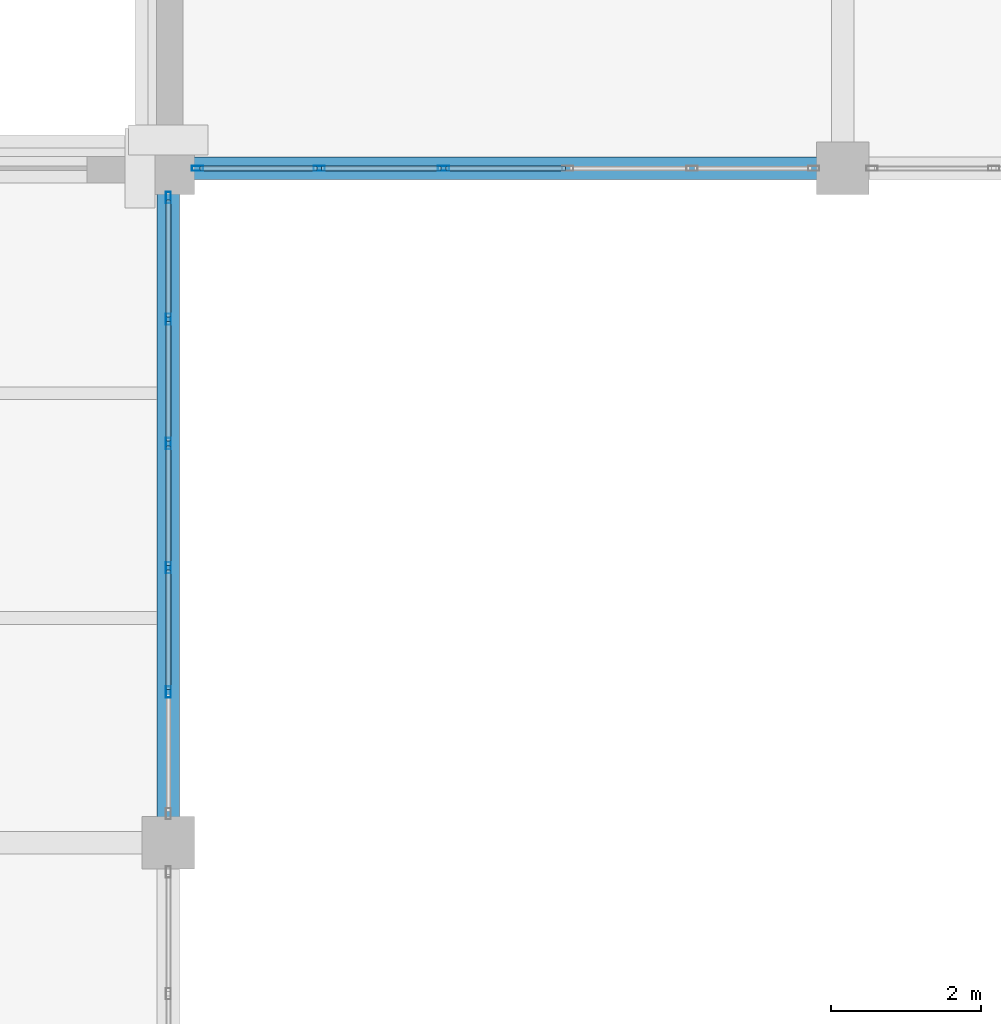
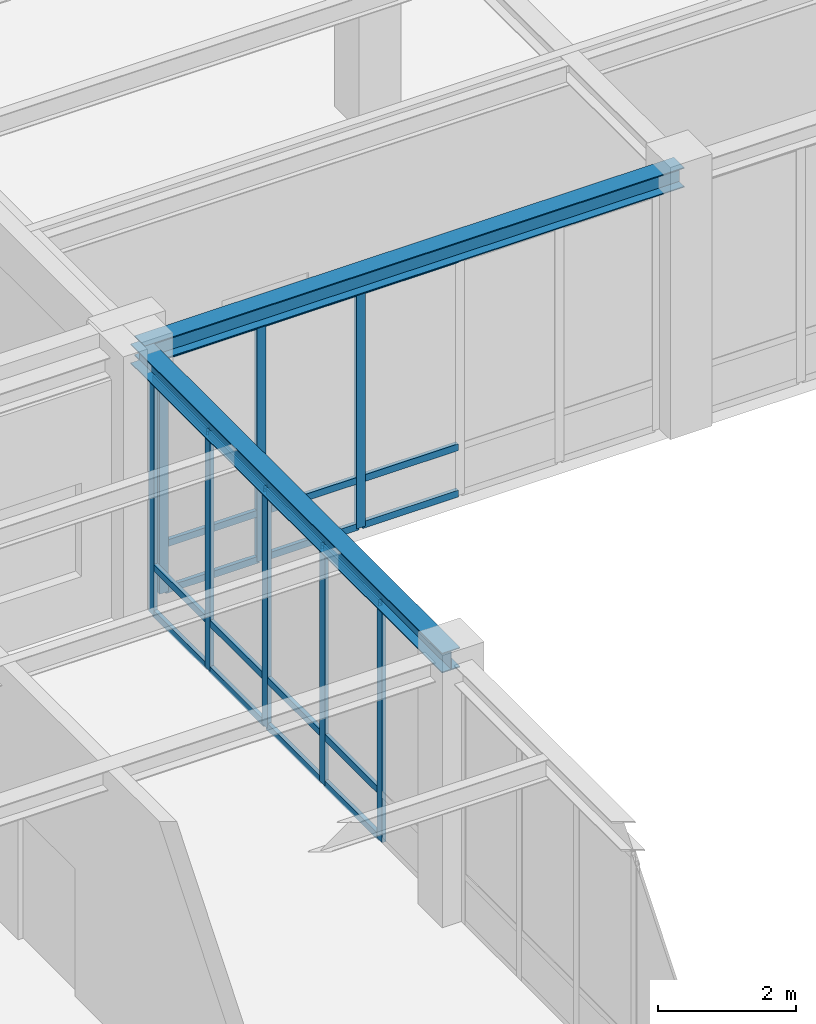
# One storey, part 60 of 92: 29 members, 2 beams, 2 elements without a shape of their own.
"""IFC4 building model written with IfcOpenShell, lengths in metres."""

from ifc_helpers import new_model, si_unit, direction, frame, origin, origin_2d, place, context, subcontext, project, spatial, hollow_rectangle, i_section, extrude, material, material_profile, profile_set, type_object, element, aggregate, save


model = new_model("IFC4")

# Units and contexts
model_context = context("Model", 3, precision=1e-05, world=origin(), true_north=direction((0.0, 1.0)))
body_context = subcontext(model_context, "Body", "Model", "MODEL_VIEW")
ifc_project = project(units=[si_unit("LENGTHUNIT", "METRE"), si_unit("AREAUNIT", "SQUARE_METRE"), si_unit("VOLUMEUNIT", "CUBIC_METRE"), si_unit("PLANEANGLEUNIT", "RADIAN"), si_unit("MASSUNIT", "GRAM", prefix="KILO")], contexts=[model_context])

# Site, building, storey
site_placement = place(None, origin())
site = spatial("IfcSite", under=ifc_project, at=site_placement, CompositionType="ELEMENT")
building_placement = place(site_placement, origin())
building = spatial("IfcBuilding", under=site, at=building_placement, Name="Lykobir Media Centre", CompositionType="ELEMENT")
storey_placement = place(building_placement, frame((0.0, 0.0, 5.39990234375)))
storey = spatial("IfcBuildingStorey", under=building, at=storey_placement, Name="L01", CompositionType="ELEMENT", Elevation=5.39990234375)

# Beam
ifc_material_1 = material(Name="Steel S355", Category="steel")
ifc_material_profile_1 = material_profile(ifc_material_1, i_section(OverallWidth=0.300048828125, OverallDepth=0.35009765625, WebThickness=0.010009765625, FlangeThickness=0.017578125, at=origin_2d()), Name="HEA 360")
ifc_profile_set_1 = profile_set([ifc_material_profile_1], Name="Steel S355")
beam_type_1 = type_object("IfcBeamType", Name="BM-HEA360", PredefinedType="BEAM", material=ifc_profile_set_1)
beam_1_placement = place(storey_placement, frame((99.0, 63.0, 4.385009765625), z_axis=(0.0, 1.0, 0.0), x_axis=(-1.0, 0.0, 0.0)))
element("IfcBeam", 1, at=beam_1_placement, inside=storey, type_object=beam_type_1, Name="Beam BM-L01-0990-0630-0990-0720-978", PredefinedType="BEAM", context=body_context, shape_type="SweptSolid", body=[
    extrude(i_section(OverallWidth=0.300048828125, OverallDepth=0.35009765625, WebThickness=0.010009765625, FlangeThickness=0.017578125, at=origin_2d()), origin(), (0.0, 0.0, 1.0), 9.0),
])

# Curtain wall, members
ifc_material_2 = material(Name="Anodized Aluminium AW-6060", Category="aluminium")
curtain_wall_type = type_object("IfcCurtainWallType", Name="CW-COURT-A", PredefinedType="NOTDEFINED", material=ifc_material_2)
curtain_wall_1_placement = place(storey_placement, origin())
curtain_wall_1 = element("IfcCurtainWall", 2, at=curtain_wall_1_placement, inside=storey, type_object=curtain_wall_type, Name="Curtain wall CW2-L01-0036", PredefinedType="NOTDEFINED")
ifc_material_profile_2 = material_profile(ifc_material_2, hollow_rectangle(XDim=0.06494140625, YDim=0.14990234375, WallThickness=0.00341796875, at=origin_2d()), Name="ALU MULLION 65x150")
ifc_profile_set_2 = profile_set([ifc_material_profile_2], Name="Anodized Aluminium AW-6060")
member_type_1 = type_object("IfcMemberType", Name="CWM-150", PredefinedType="MULLION", material=ifc_profile_set_2)
member_1_placement = place(storey_placement, frame((99.0, 71.612548828125, 0.0), z_axis=(0.0, 0.0, 1.0), x_axis=(1.0, 0.0, 0.0)))
member_1 = element("IfcMember", 3, at=member_1_placement, type_object=member_type_1, Name="CW2-L01-0036 mullion 1", PredefinedType="MULLION", context=body_context, shape_type="SweptSolid", body=[
    extrude(hollow_rectangle(XDim=0.06494140625, YDim=0.14990234375, WallThickness=0.00341796875, at=origin_2d()), origin(), (0.0, 0.0, 1.0), 4.195068359375),
])
member_2_placement = place(storey_placement, frame((99.0, 69.987060546875, 0.0), z_axis=(0.0, 0.0, 1.0), x_axis=(1.0, 0.0, 0.0)))
member_2 = element("IfcMember", 4, at=member_2_placement, type_object=member_type_1, Name="CW2-L01-0036 mullion 2", PredefinedType="MULLION", context=body_context, shape_type="SweptSolid", body=[
    extrude(hollow_rectangle(XDim=0.06494140625, YDim=0.14990234375, WallThickness=0.00341796875, at=origin_2d()), origin(), (0.0, 0.0, 1.0), 4.195068359375),
])
member_3_placement = place(storey_placement, frame((99.0, 68.3291015625, 0.0), z_axis=(0.0, 0.0, 1.0), x_axis=(1.0, 0.0, 0.0)))
member_3 = element("IfcMember", 5, at=member_3_placement, type_object=member_type_1, Name="CW2-L01-0036 mullion 3", PredefinedType="MULLION", context=body_context, shape_type="SweptSolid", body=[
    extrude(hollow_rectangle(XDim=0.06494140625, YDim=0.14990234375, WallThickness=0.00341796875, at=origin_2d()), origin(), (0.0, 0.0, 1.0), 4.195068359375),
])
member_4_placement = place(storey_placement, frame((99.0, 66.6708984375, 0.0), z_axis=(0.0, 0.0, 1.0), x_axis=(1.0, 0.0, 0.0)))
member_4 = element("IfcMember", 6, at=member_4_placement, type_object=member_type_1, Name="CW2-L01-0036 mullion 4", PredefinedType="MULLION", context=body_context, shape_type="SweptSolid", body=[
    extrude(hollow_rectangle(XDim=0.06494140625, YDim=0.14990234375, WallThickness=0.00341796875, at=origin_2d()), origin(), (0.0, 0.0, 1.0), 4.195068359375),
])
member_5_placement = place(storey_placement, frame((99.0, 65.012939453125, 0.0), z_axis=(0.0, 0.0, 1.0), x_axis=(1.0, 0.0, 0.0)))
member_5 = element("IfcMember", 7, at=member_5_placement, type_object=member_type_1, Name="CW2-L01-0036 mullion 5", PredefinedType="MULLION", context=body_context, shape_type="SweptSolid", body=[
    extrude(hollow_rectangle(XDim=0.06494140625, YDim=0.14990234375, WallThickness=0.00341796875, at=origin_2d()), origin(), (0.0, 0.0, 1.0), 4.195068359375),
])

curtain_wall_2_placement = place(storey_placement, origin())
curtain_wall_2 = element("IfcCurtainWall", 8, at=curtain_wall_2_placement, inside=storey, type_object=curtain_wall_type, Name="Curtain wall CW2-L01-0070", PredefinedType="NOTDEFINED")
member_6_placement = place(storey_placement, frame((102.6708984375, 72.0, 0.0), z_axis=(0.0, 0.0, 1.0), x_axis=(0.0, -1.0, 0.0)))
member_6 = element("IfcMember", 9, at=member_6_placement, type_object=member_type_1, Name="CW2-L01-0070 mullion 4", PredefinedType="MULLION", context=body_context, shape_type="SweptSolid", body=[
    extrude(hollow_rectangle(XDim=0.06494140625, YDim=0.14990234375, WallThickness=0.00341796875, at=origin_2d()), origin(), (0.0, 0.0, 1.0), 4.195068359375),
])
member_7_placement = place(storey_placement, frame((101.012939453125, 72.0, 0.0), z_axis=(0.0, 0.0, 1.0), x_axis=(0.0, -1.0, 0.0)))
member_7 = element("IfcMember", 10, at=member_7_placement, type_object=member_type_1, Name="CW2-L01-0070 mullion 5", PredefinedType="MULLION", context=body_context, shape_type="SweptSolid", body=[
    extrude(hollow_rectangle(XDim=0.06494140625, YDim=0.14990234375, WallThickness=0.00341796875, at=origin_2d()), origin(), (0.0, 0.0, 1.0), 4.195068359375),
])
member_8_placement = place(storey_placement, frame((99.387451171875, 72.0, 0.0), z_axis=(0.0, 0.0, 1.0), x_axis=(0.0, -1.0, 0.0)))
member_8 = element("IfcMember", 11, at=member_8_placement, type_object=member_type_1, Name="CW2-L01-0070 mullion 6", PredefinedType="MULLION", context=body_context, shape_type="SweptSolid", body=[
    extrude(hollow_rectangle(XDim=0.06494140625, YDim=0.14990234375, WallThickness=0.00341796875, at=origin_2d()), origin(), (0.0, 0.0, 1.0), 4.195068359375),
])

# Member
ifc_material_profile_3 = material_profile(ifc_material_2, hollow_rectangle(XDim=0.06494140625, YDim=0.1201171875, WallThickness=0.0029296875, at=origin_2d()), Name="ALU TRANSOM 65x120")
ifc_profile_set_3 = profile_set([ifc_material_profile_3], Name="Anodized Aluminium AW-6060")
member_type_2 = type_object("IfcMemberType", Name="CWT-120", PredefinedType="USERDEFINED", material=ifc_profile_set_3)
member_9_placement = place(storey_placement, frame((99.0, 71.580078125, 0.03271484375), z_axis=(0.0, -1.0, 0.0), x_axis=(1.0, 0.0, 0.0)))
member_9 = element("IfcMember", 12, at=member_9_placement, type_object=member_type_2, Name="CW2-L01-0036 transom 1.1", ObjectType="TRANSOM", PredefinedType="USERDEFINED", context=body_context, shape_type="SweptSolid", body=[
    extrude(hollow_rectangle(XDim=0.06494140625, YDim=0.1201171875, WallThickness=0.0029296875, at=origin_2d()), origin(), (0.0, 0.0, 1.0), 1.560546875),
])

member_10_placement = place(storey_placement, frame((99.0, 71.580078125, 0.85009765625), z_axis=(0.0, -1.0, 0.0), x_axis=(1.0, 0.0, 0.0)))
member_10 = element("IfcMember", 13, at=member_10_placement, type_object=member_type_2, Name="CW2-L01-0036 transom 1.2", ObjectType="TRANSOM", PredefinedType="USERDEFINED", context=body_context, shape_type="SweptSolid", body=[
    extrude(hollow_rectangle(XDim=0.06494140625, YDim=0.1201171875, WallThickness=0.0029296875, at=origin_2d()), origin(), (0.0, 0.0, 1.0), 1.560546875),
])

member_11_placement = place(storey_placement, frame((99.0, 71.580078125, 4.16259765625), z_axis=(0.0, -1.0, 0.0), x_axis=(1.0, 0.0, 0.0)))
member_11 = element("IfcMember", 14, at=member_11_placement, type_object=member_type_2, Name="CW2-L01-0036 transom 1.3", ObjectType="TRANSOM", PredefinedType="USERDEFINED", context=body_context, shape_type="SweptSolid", body=[
    extrude(hollow_rectangle(XDim=0.06494140625, YDim=0.1201171875, WallThickness=0.0029296875, at=origin_2d()), origin(), (0.0, 0.0, 1.0), 1.560546875),
])

member_12_placement = place(storey_placement, frame((99.0, 69.95458984375, 0.03271484375), z_axis=(0.0, -1.0, 0.0), x_axis=(1.0, 0.0, 0.0)))
member_12 = element("IfcMember", 15, at=member_12_placement, type_object=member_type_2, Name="CW2-L01-0036 transom 2.1", ObjectType="TRANSOM", PredefinedType="USERDEFINED", context=body_context, shape_type="SweptSolid", body=[
    extrude(hollow_rectangle(XDim=0.06494140625, YDim=0.1201171875, WallThickness=0.0029296875, at=origin_2d()), origin(), (0.0, 0.0, 1.0), 1.593017578125),
])

member_13_placement = place(storey_placement, frame((99.0, 69.95458984375, 0.85009765625), z_axis=(0.0, -1.0, 0.0), x_axis=(1.0, 0.0, 0.0)))
member_13 = element("IfcMember", 16, at=member_13_placement, type_object=member_type_2, Name="CW2-L01-0036 transom 2.2", ObjectType="TRANSOM", PredefinedType="USERDEFINED", context=body_context, shape_type="SweptSolid", body=[
    extrude(hollow_rectangle(XDim=0.06494140625, YDim=0.1201171875, WallThickness=0.0029296875, at=origin_2d()), origin(), (0.0, 0.0, 1.0), 1.593017578125),
])

member_14_placement = place(storey_placement, frame((99.0, 69.95458984375, 4.16259765625), z_axis=(0.0, -1.0, 0.0), x_axis=(1.0, 0.0, 0.0)))
member_14 = element("IfcMember", 17, at=member_14_placement, type_object=member_type_2, Name="CW2-L01-0036 transom 2.3", ObjectType="TRANSOM", PredefinedType="USERDEFINED", context=body_context, shape_type="SweptSolid", body=[
    extrude(hollow_rectangle(XDim=0.06494140625, YDim=0.1201171875, WallThickness=0.0029296875, at=origin_2d()), origin(), (0.0, 0.0, 1.0), 1.593017578125),
])

member_15_placement = place(storey_placement, frame((99.0, 68.29638671875, 0.03271484375), z_axis=(0.0, -1.0, 0.0), x_axis=(1.0, 0.0, 0.0)))
member_15 = element("IfcMember", 18, at=member_15_placement, type_object=member_type_2, Name="CW2-L01-0036 transom 3.1", ObjectType="TRANSOM", PredefinedType="USERDEFINED", context=body_context, shape_type="SweptSolid", body=[
    extrude(hollow_rectangle(XDim=0.06494140625, YDim=0.1201171875, WallThickness=0.0029296875, at=origin_2d()), origin(), (0.0, 0.0, 1.0), 1.5927734375),
])

member_16_placement = place(storey_placement, frame((99.0, 68.29638671875, 0.85009765625), z_axis=(0.0, -1.0, 0.0), x_axis=(1.0, 0.0, 0.0)))
member_16 = element("IfcMember", 19, at=member_16_placement, type_object=member_type_2, Name="CW2-L01-0036 transom 3.2", ObjectType="TRANSOM", PredefinedType="USERDEFINED", context=body_context, shape_type="SweptSolid", body=[
    extrude(hollow_rectangle(XDim=0.06494140625, YDim=0.1201171875, WallThickness=0.0029296875, at=origin_2d()), origin(), (0.0, 0.0, 1.0), 1.5927734375),
])

member_17_placement = place(storey_placement, frame((99.0, 68.29638671875, 4.16259765625), z_axis=(0.0, -1.0, 0.0), x_axis=(1.0, 0.0, 0.0)))
member_17 = element("IfcMember", 20, at=member_17_placement, type_object=member_type_2, Name="CW2-L01-0036 transom 3.3", ObjectType="TRANSOM", PredefinedType="USERDEFINED", context=body_context, shape_type="SweptSolid", body=[
    extrude(hollow_rectangle(XDim=0.06494140625, YDim=0.1201171875, WallThickness=0.0029296875, at=origin_2d()), origin(), (0.0, 0.0, 1.0), 1.5927734375),
])

member_18_placement = place(storey_placement, frame((99.0, 66.638427734375, 0.03271484375), z_axis=(0.0, -1.0, 0.0), x_axis=(1.0, 0.0, 0.0)))
member_18 = element("IfcMember", 21, at=member_18_placement, type_object=member_type_2, Name="CW2-L01-0036 transom 4.1", ObjectType="TRANSOM", PredefinedType="USERDEFINED", context=body_context, shape_type="SweptSolid", body=[
    extrude(hollow_rectangle(XDim=0.06494140625, YDim=0.1201171875, WallThickness=0.0029296875, at=origin_2d()), origin(), (0.0, 0.0, 1.0), 1.593017578125),
])

member_19_placement = place(storey_placement, frame((99.0, 66.638427734375, 0.85009765625), z_axis=(0.0, -1.0, 0.0), x_axis=(1.0, 0.0, 0.0)))
member_19 = element("IfcMember", 22, at=member_19_placement, type_object=member_type_2, Name="CW2-L01-0036 transom 4.2", ObjectType="TRANSOM", PredefinedType="USERDEFINED", context=body_context, shape_type="SweptSolid", body=[
    extrude(hollow_rectangle(XDim=0.06494140625, YDim=0.1201171875, WallThickness=0.0029296875, at=origin_2d()), origin(), (0.0, 0.0, 1.0), 1.593017578125),
])

member_20_placement = place(storey_placement, frame((99.0, 66.638427734375, 4.16259765625), z_axis=(0.0, -1.0, 0.0), x_axis=(1.0, 0.0, 0.0)))
member_20 = element("IfcMember", 23, at=member_20_placement, type_object=member_type_2, Name="CW2-L01-0036 transom 4.3", ObjectType="TRANSOM", PredefinedType="USERDEFINED", context=body_context, shape_type="SweptSolid", body=[
    extrude(hollow_rectangle(XDim=0.06494140625, YDim=0.1201171875, WallThickness=0.0029296875, at=origin_2d()), origin(), (0.0, 0.0, 1.0), 1.593017578125),
])

aggregate(curtain_wall_1, [member_1, member_2, member_3, member_4, member_5, member_9, member_10, member_11, member_12, member_13, member_14, member_15, member_16, member_17, member_18, member_19, member_20])

member_21_placement = place(storey_placement, frame((104.29638671875, 72.0, 0.03271484375), z_axis=(-1.0, 0.0, 0.0), x_axis=(0.0, -1.0, 0.0)))
member_21 = element("IfcMember", 24, at=member_21_placement, type_object=member_type_2, Name="CW2-L01-0070 transom 3.1", ObjectType="TRANSOM", PredefinedType="USERDEFINED", context=body_context, shape_type="SweptSolid", body=[
    extrude(hollow_rectangle(XDim=0.06494140625, YDim=0.1201171875, WallThickness=0.0029296875, at=origin_2d()), origin(), (0.0, 0.0, 1.0), 1.5927734375),
])

member_22_placement = place(storey_placement, frame((104.29638671875, 72.0, 0.85009765625), z_axis=(-1.0, 0.0, 0.0), x_axis=(0.0, -1.0, 0.0)))
member_22 = element("IfcMember", 25, at=member_22_placement, type_object=member_type_2, Name="CW2-L01-0070 transom 3.2", ObjectType="TRANSOM", PredefinedType="USERDEFINED", context=body_context, shape_type="SweptSolid", body=[
    extrude(hollow_rectangle(XDim=0.06494140625, YDim=0.1201171875, WallThickness=0.0029296875, at=origin_2d()), origin(), (0.0, 0.0, 1.0), 1.5927734375),
])

member_23_placement = place(storey_placement, frame((104.29638671875, 72.0, 4.16259765625), z_axis=(-1.0, 0.0, 0.0), x_axis=(0.0, -1.0, 0.0)))
member_23 = element("IfcMember", 26, at=member_23_placement, type_object=member_type_2, Name="CW2-L01-0070 transom 3.3", ObjectType="TRANSOM", PredefinedType="USERDEFINED", context=body_context, shape_type="SweptSolid", body=[
    extrude(hollow_rectangle(XDim=0.06494140625, YDim=0.1201171875, WallThickness=0.0029296875, at=origin_2d()), origin(), (0.0, 0.0, 1.0), 1.5927734375),
])

member_24_placement = place(storey_placement, frame((102.638427734375, 72.0, 0.03271484375), z_axis=(-1.0, 0.0, 0.0), x_axis=(0.0, -1.0, 0.0)))
member_24 = element("IfcMember", 27, at=member_24_placement, type_object=member_type_2, Name="CW2-L01-0070 transom 4.1", ObjectType="TRANSOM", PredefinedType="USERDEFINED", context=body_context, shape_type="SweptSolid", body=[
    extrude(hollow_rectangle(XDim=0.06494140625, YDim=0.1201171875, WallThickness=0.0029296875, at=origin_2d()), origin(), (0.0, 0.0, 1.0), 1.593017578125),
])

member_25_placement = place(storey_placement, frame((102.638427734375, 72.0, 0.85009765625), z_axis=(-1.0, 0.0, 0.0), x_axis=(0.0, -1.0, 0.0)))
member_25 = element("IfcMember", 28, at=member_25_placement, type_object=member_type_2, Name="CW2-L01-0070 transom 4.2", ObjectType="TRANSOM", PredefinedType="USERDEFINED", context=body_context, shape_type="SweptSolid", body=[
    extrude(hollow_rectangle(XDim=0.06494140625, YDim=0.1201171875, WallThickness=0.0029296875, at=origin_2d()), origin(), (0.0, 0.0, 1.0), 1.593017578125),
])

member_26_placement = place(storey_placement, frame((102.638427734375, 72.0, 4.16259765625), z_axis=(-1.0, 0.0, 0.0), x_axis=(0.0, -1.0, 0.0)))
member_26 = element("IfcMember", 29, at=member_26_placement, type_object=member_type_2, Name="CW2-L01-0070 transom 4.3", ObjectType="TRANSOM", PredefinedType="USERDEFINED", context=body_context, shape_type="SweptSolid", body=[
    extrude(hollow_rectangle(XDim=0.06494140625, YDim=0.1201171875, WallThickness=0.0029296875, at=origin_2d()), origin(), (0.0, 0.0, 1.0), 1.593017578125),
])

member_27_placement = place(storey_placement, frame((100.98046875, 72.0, 0.03271484375), z_axis=(-1.0, 0.0, 0.0), x_axis=(0.0, -1.0, 0.0)))
member_27 = element("IfcMember", 30, at=member_27_placement, type_object=member_type_2, Name="CW2-L01-0070 transom 5.1", ObjectType="TRANSOM", PredefinedType="USERDEFINED", context=body_context, shape_type="SweptSolid", body=[
    extrude(hollow_rectangle(XDim=0.06494140625, YDim=0.1201171875, WallThickness=0.0029296875, at=origin_2d()), origin(), (0.0, 0.0, 1.0), 1.560546875),
])

member_28_placement = place(storey_placement, frame((100.98046875, 72.0, 0.85009765625), z_axis=(-1.0, 0.0, 0.0), x_axis=(0.0, -1.0, 0.0)))
member_28 = element("IfcMember", 31, at=member_28_placement, type_object=member_type_2, Name="CW2-L01-0070 transom 5.2", ObjectType="TRANSOM", PredefinedType="USERDEFINED", context=body_context, shape_type="SweptSolid", body=[
    extrude(hollow_rectangle(XDim=0.06494140625, YDim=0.1201171875, WallThickness=0.0029296875, at=origin_2d()), origin(), (0.0, 0.0, 1.0), 1.560546875),
])

member_29_placement = place(storey_placement, frame((100.98046875, 72.0, 4.16259765625), z_axis=(-1.0, 0.0, 0.0), x_axis=(0.0, -1.0, 0.0)))
member_29 = element("IfcMember", 32, at=member_29_placement, type_object=member_type_2, Name="CW2-L01-0070 transom 5.3", ObjectType="TRANSOM", PredefinedType="USERDEFINED", context=body_context, shape_type="SweptSolid", body=[
    extrude(hollow_rectangle(XDim=0.06494140625, YDim=0.1201171875, WallThickness=0.0029296875, at=origin_2d()), origin(), (0.0, 0.0, 1.0), 1.560546875),
])

aggregate(curtain_wall_2, [member_6, member_7, member_8, member_21, member_22, member_23, member_24, member_25, member_26, member_27, member_28, member_29])

# Beam
ifc_material_profile_4 = material_profile(ifc_material_1, i_section(OverallWidth=0.300048828125, OverallDepth=0.35009765625, WebThickness=0.010009765625, FlangeThickness=0.017578125, at=origin_2d()), Name="HEA 360")
ifc_profile_set_4 = profile_set([ifc_material_profile_4], Name="Steel S355")
beam_type_2 = type_object("IfcBeamType", Name="SP-HEA360", PredefinedType="SPANDREL", material=ifc_profile_set_4)
beam_2_placement = place(storey_placement, frame((99.0, 72.0, 4.385009765625), z_axis=(1.0, 0.0, 0.0), x_axis=(0.0, 1.0, 0.0)))
element("IfcBeam", 33, at=beam_2_placement, inside=storey, type_object=beam_type_2, Name="Beam BM-L01-0990-0720-1080-0720-978", PredefinedType="SPANDREL", context=body_context, shape_type="SweptSolid", body=[
    extrude(i_section(OverallWidth=0.300048828125, OverallDepth=0.35009765625, WebThickness=0.010009765625, FlangeThickness=0.017578125, at=origin_2d()), origin(), (0.0, 0.0, 1.0), 9.0),
])

save(model, "model.ifc")
